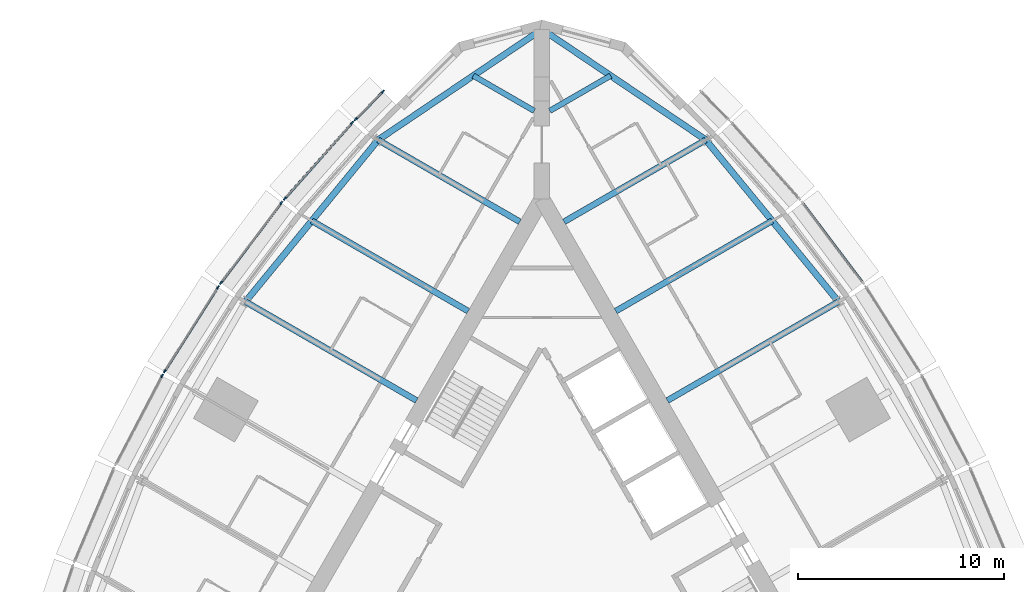
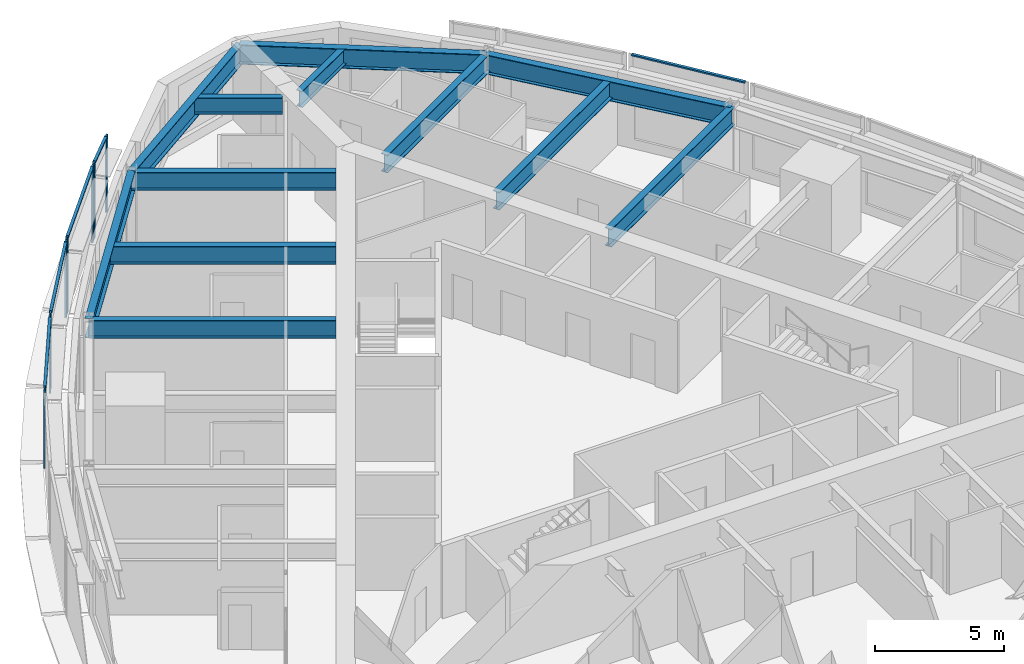
# One storey, part 5 of 15: 14 members, 12 beams, 6 elements without a shape of their own.
"""IFC4 building model written with IfcOpenShell, lengths in metres."""

import ifcopenshell
import ifcopenshell.guid

model = None  # the IFC model being written
_history = None  # IfcOwnerHistory: only IFC2X3 demands one
_inside = {}  # id of a spatial element -> (the spatial element, [elements in it])
_under = {}  # id of a project, library or spatial element -> (it, [spatial elements below it])
_declared = {}  # id of a project -> (the project, [libraries it declares])
_typed = {}  # id of a type object -> (the type object, [elements of that type])
_made_of = {}  # id of a material, layer set ... -> (it, [elements and type objects made of it])


def new_model(schema):
    """Start an empty IFC model of exactly this schema.

    Asked for "IFC4X3", IfcOpenShell would pick the latest addendum, in which some entities
    have other attributes; the version numbers below select the first issue.
    IFC2X3 requires an IfcOwnerHistory on every rooted entity: one is made here for all.
    """
    global model, _history
    if schema == "IFC4X3":
        model = ifcopenshell.file(schema_version=(4, 3, 0, 0))
    else:
        model = ifcopenshell.file(schema=schema)
    _inside.clear()
    _under.clear()
    _declared.clear()
    _typed.clear()
    _made_of.clear()
    _history = None
    if model.schema == "IFC2X3":
        org = make("IfcOrganization", Name="unknown")
        user = make(
            "IfcPersonAndOrganization",
            ThePerson=make("IfcPerson", FamilyName="unknown"),
            TheOrganization=org,
        )
        app = make(
            "IfcApplication",
            ApplicationDeveloper=org,
            Version="unknown",
            ApplicationFullName="unknown",
            ApplicationIdentifier="unknown",
        )
        _history = make(
            "IfcOwnerHistory",
            OwningUser=user,
            OwningApplication=app,
            ChangeAction="ADDED",
            CreationDate=0,
        )
    return model


def make(cls, **values):
    """One entity of the class cls with the attributes given. An attribute that is None is left unset."""
    return model.create_entity(
        cls, **{name: value for name, value in values.items() if value is not None}
    )


def rooted(cls, **values):
    """An entity with a GlobalId (a new one), such as an element, a storey or a relation."""
    return make(cls, GlobalId=ifcopenshell.guid.new(), OwnerHistory=_history, **values)


def si_unit(unit_type, name, prefix=None):
    """IfcSIUnit, for example si_unit("LENGTHUNIT", "METRE", prefix="MILLI")."""
    return make("IfcSIUnit", UnitType=unit_type, Prefix=prefix, Name=name)


def assignment(units):
    """IfcUnitAssignment: the units of a project."""
    return None if units is None else make("IfcUnitAssignment", Units=units)


def point(xyz):
    """IfcCartesianPoint."""
    return None if xyz is None else make("IfcCartesianPoint", Coordinates=xyz)


def direction(xyz):
    """IfcDirection."""
    return None if xyz is None else make("IfcDirection", DirectionRatios=xyz)


def frame(location, z_axis=None, x_axis=None):
    """IfcAxis2Placement3D, a coordinate frame: its origin and axes. An axis left out is left unset."""
    return make(
        "IfcAxis2Placement3D",
        Location=point(location),
        Axis=direction(z_axis),
        RefDirection=direction(x_axis),
    )


def frame_2d(location, x_axis=None):
    """IfcAxis2Placement2D, a coordinate frame in the plane: its origin and x axis."""
    return make(
        "IfcAxis2Placement2D", Location=point(location), RefDirection=direction(x_axis)
    )


def origin():
    """The frame at (0, 0, 0) with its axes left unset."""
    return frame((0.0, 0.0, 0.0))


def origin_2d():
    """The frame at (0, 0) in the plane with its x axis left unset."""
    return frame_2d((0.0, 0.0))


def place(relative_to, where):
    """IfcLocalPlacement: puts the frame where relative to a parent placement (None: the world)."""
    return make(
        "IfcLocalPlacement", PlacementRelTo=relative_to, RelativePlacement=where
    )


def context(
    kind, dimensions, precision=None, world=None, true_north=None, identifier=None
):
    """IfcGeometricRepresentationContext, for example the 3D "Model" context."""
    return make(
        "IfcGeometricRepresentationContext",
        ContextIdentifier=identifier,
        ContextType=kind,
        CoordinateSpaceDimension=dimensions,
        Precision=precision,
        WorldCoordinateSystem=world,
        TrueNorth=true_north,
    )


def subcontext(parent, identifier, kind, view, scale=None):
    """IfcGeometricRepresentationSubContext, for example "Body" below "Model"."""
    return make(
        "IfcGeometricRepresentationSubContext",
        ContextIdentifier=identifier,
        ContextType=kind,
        ParentContext=parent,
        TargetScale=scale,
        TargetView=view,
    )


def project(units=None, contexts=None):
    """IfcProject with its units and contexts."""
    return rooted(
        "IfcProject",
        Name="project",
        RepresentationContexts=contexts,
        UnitsInContext=assignment(units),
    )


def spatial(cls, under=None, at=None, **own):
    """A site, building, storey or space (cls), placed at a placement, below another one or the project."""
    s = rooted(cls, ObjectPlacement=at, **own)
    if under is not None:
        _under.setdefault(under.id(), (under, []))[1].append(s)
    return s


def profile(cls, at=None, kind="AREA", **sizes):
    """A parametric profile (cls). Its sizes go by their IFC names, for example OverallWidth=200.0."""
    return make(cls, ProfileType=kind, Position=at, **sizes)


def rectangle(**sizes):
    """IfcRectangleProfileDef."""
    return profile("IfcRectangleProfileDef", **sizes)


def i_section(**sizes):
    """IfcIShapeProfileDef."""
    return profile("IfcIShapeProfileDef", **sizes)


def extrude(swept, where, along, depth):
    """IfcExtrudedAreaSolid: the profile swept, set in the frame where, extruded along a direction by depth."""
    return make(
        "IfcExtrudedAreaSolid",
        SweptArea=swept,
        Position=where,
        ExtrudedDirection=direction(along),
        Depth=depth,
    )


def shape(context_of_items, identifier, shape_type, items):
    """IfcShapeRepresentation: the items that make up one representation, for example the "Body"."""
    return make(
        "IfcShapeRepresentation",
        ContextOfItems=context_of_items,
        RepresentationIdentifier=identifier,
        RepresentationType=shape_type,
        Items=items,
    )


def material(Name=None, Category=None):
    """IfcMaterial."""
    return make("IfcMaterial", Name=Name, Category=Category)


def material_profile(
    of_material, cross_section, Name=None, Category=None, Priority=None
):
    """IfcMaterialProfile: a cross section and its material."""
    return make(
        "IfcMaterialProfile",
        Name=Name,
        Material=of_material,
        Profile=cross_section,
        Priority=Priority,
        Category=Category,
    )


def profile_set(profiles, Name=None, composite=None):
    """IfcMaterialProfileSet."""
    return make(
        "IfcMaterialProfileSet",
        Name=Name,
        MaterialProfiles=profiles,
        CompositeProfile=composite,
    )


def made_of(thing, what):
    """Note that an element or type object is made of a material, layer set ...; save() writes the relation."""
    if what is not None:
        _made_of.setdefault(what.id(), (what, []))[1].append(thing)
    return thing


def type_object(cls, material=None, **own):
    """A type object (cls), such as IfcWallType, which elements share."""
    return made_of(rooted(cls, **own), material)


def element(
    cls,
    number,
    at=None,
    inside=None,
    cuts=None,
    type_object=None,
    material=None,
    context=None,
    identifier="Body",
    shape_type=None,
    held_by="IfcProductDefinitionShape",
    body=None,
    shapes=None,
    **own,
):
    """One element of the class cls, such as IfcWall. Its Tag is "e" and its number.

    at: its placement. inside: the storey or other place that contains it. cuts: it is an
    opening in that element (IfcRelVoidsElement). A single representation is given by context,
    identifier, shape_type and body (its items); several are given by shapes. held_by: the class
    of the entity that holds the representations. save() writes the other relations.
    """
    e = rooted(cls, Tag="e%d" % number, ObjectPlacement=at, **own)
    if body is not None:
        shapes = [shape(context, identifier, shape_type, body)]
    if shapes is not None:
        e.Representation = make(held_by, Representations=shapes)
    if inside is not None:
        _inside.setdefault(inside.id(), (inside, []))[1].append(e)
    if cuts is not None:
        rooted(
            "IfcRelVoidsElement", RelatingBuildingElement=cuts, RelatedOpeningElement=e
        )
    if type_object is not None:
        _typed.setdefault(type_object.id(), (type_object, []))[1].append(e)
    return made_of(e, material)


def aggregate(whole, parts):
    """IfcRelAggregates: a whole, such as a stair, and the parts it consists of."""
    return rooted("IfcRelAggregates", RelatingObject=whole, RelatedObjects=parts)


def save(model, path):
    """Write the relations noted so far, then the file.

    IfcRelAggregates (storeys below a building ...), IfcRelContainedInSpatialStructure (elements
    in a storey), IfcRelDefinesByType, IfcRelAssociatesMaterial and IfcRelDeclares: one each for
    every whole, place, type object, material and project.
    """
    for whole, parts in _under.values():
        aggregate(whole, parts)
    for where, things in _inside.values():
        rooted(
            "IfcRelContainedInSpatialStructure",
            RelatedElements=things,
            RelatingStructure=where,
        )
    for kind, things in _typed.values():
        rooted("IfcRelDefinesByType", RelatedObjects=things, RelatingType=kind)
    for what, things in _made_of.values():
        rooted("IfcRelAssociatesMaterial", RelatedObjects=things, RelatingMaterial=what)
    for by, libraries in _declared.values():
        rooted("IfcRelDeclares", RelatingContext=by, RelatedDefinitions=libraries)
    model.write(path)


model = new_model("IFC4")

# Units and contexts
model_context = context("Model", 3, precision=1e-05, world=origin(), true_north=direction((0.0, 1.0)))
body_context = subcontext(model_context, "Body", "Model", "MODEL_VIEW")
ifc_project = project(units=[si_unit("LENGTHUNIT", "METRE"), si_unit("AREAUNIT", "SQUARE_METRE"), si_unit("VOLUMEUNIT", "CUBIC_METRE"), si_unit("PLANEANGLEUNIT", "RADIAN"), si_unit("MASSUNIT", "GRAM", prefix="KILO")], contexts=[model_context])

# Site, building, storey
site_placement = place(None, origin())
site = spatial("IfcSite", under=ifc_project, at=site_placement, CompositionType="ELEMENT")
building_placement = place(site_placement, origin())
building = spatial("IfcBuilding", under=site, at=building_placement, Name="Trikona Tower", CompositionType="ELEMENT")
storey_placement = place(building_placement, frame((0.0, 0.0, 218.89990234375)))
storey = spatial("IfcBuildingStorey", under=building, at=storey_placement, Name="L58", CompositionType="ELEMENT", Elevation=218.89990234375)

# Curtain wall, members
ifc_material_1 = material(Name="Aluminium curtain wall system", Category="aluminium")
curtain_wall_type = type_object("IfcCurtainWallType", Name="Curtain wall DS3", PredefinedType="NOTDEFINED", material=ifc_material_1)
curtain_wall_1_placement = place(storey_placement, origin())
curtain_wall_1 = element("IfcCurtainWall", 1, at=curtain_wall_1_placement, inside=storey, type_object=curtain_wall_type, Name="Curtain wall DS3 L58", PredefinedType="NOTDEFINED")
ifc_material_2 = material(Name="Aluminium mullion, pale anodised", Category="aluminium")
ifc_material_profile_1 = material_profile(ifc_material_2, rectangle(XDim=0.070068359375, YDim=0.179931640625, at=origin_2d()), Name="MUL-DS3")
ifc_profile_set_1 = profile_set([ifc_material_profile_1], Name="Aluminium mullion, pale anodised")
member_type_1 = type_object("IfcMemberType", Name="Mullion DS3 70x180", PredefinedType="MULLION", material=ifc_profile_set_1)
member_1_placement = place(storey_placement, frame((-7.7060546875, 24.237548828125, 0.0), z_axis=(0.0, 0.0, 1.0), x_axis=(0.710051900554, -0.704149343903, 0.0)))
member_1 = element("IfcMember", 2, at=member_1_placement, type_object=member_type_1, Name="CW-DS3 mullion 1", PredefinedType="MULLION", context=body_context, shape_type="SweptSolid", body=[
    extrude(rectangle(XDim=0.070068359375, YDim=0.179931640625, at=origin_2d()), origin(), (0.0, 0.0, 1.0), 3.60009765625),
])
member_2_placement = place(storey_placement, frame((-9.028564453125, 22.904052734375, 0.0), z_axis=(0.0, 0.0, 1.0), x_axis=(0.710051900554, -0.704149343903, 0.0)))
member_2 = element("IfcMember", 3, at=member_2_placement, type_object=member_type_1, Name="CW-DS3 mullion 2", PredefinedType="MULLION", context=body_context, shape_type="SweptSolid", body=[
    extrude(rectangle(XDim=0.070068359375, YDim=0.179931640625, at=origin_2d()), origin(), (0.0, 0.0, 1.0), 3.60009765625),
])

curtain_wall_2_placement = place(storey_placement, origin())
curtain_wall_2 = element("IfcCurtainWall", 4, at=curtain_wall_2_placement, inside=storey, type_object=curtain_wall_type, Name="Curtain wall DS3 L58", PredefinedType="NOTDEFINED")
member_3_placement = place(storey_placement, frame((-9.192138671875, 22.729736328125, 0.0), z_axis=(0.0, 0.0, 1.0), x_axis=(0.747402677853, -0.664371309689, 0.0)))
member_3 = element("IfcMember", 5, at=member_3_placement, type_object=member_type_1, Name="CW-DS3 mullion 1", PredefinedType="MULLION", context=body_context, shape_type="SweptSolid", body=[
    extrude(rectangle(XDim=0.070068359375, YDim=0.179931640625, at=origin_2d()), origin(), (0.0, 0.0, 1.0), 3.60009765625),
])
member_4_placement = place(storey_placement, frame((-12.45751953125, 19.056396484375, 0.0), z_axis=(0.0, 0.0, 1.0), x_axis=(0.747402677853, -0.664371309689, 0.0)))
member_4 = element("IfcMember", 6, at=member_4_placement, type_object=member_type_1, Name="CW-DS3 mullion 2", PredefinedType="MULLION", context=body_context, shape_type="SweptSolid", body=[
    extrude(rectangle(XDim=0.070068359375, YDim=0.179931640625, at=origin_2d()), origin(), (0.0, 0.0, 1.0), 3.60009765625),
])

curtain_wall_3_placement = place(storey_placement, origin())
curtain_wall_3 = element("IfcCurtainWall", 7, at=curtain_wall_3_placement, inside=storey, type_object=curtain_wall_type, Name="Curtain wall DS3 L58", PredefinedType="NOTDEFINED")
member_5_placement = place(storey_placement, frame((-12.62353515625, 18.853759765625, 0.0), z_axis=(0.0, 0.0, 1.0), x_axis=(0.798193208724, -0.602401528506, 0.0)))
member_5 = element("IfcMember", 8, at=member_5_placement, type_object=member_type_1, Name="CW-DS3 mullion 1", PredefinedType="MULLION", context=body_context, shape_type="SweptSolid", body=[
    extrude(rectangle(XDim=0.070068359375, YDim=0.179931640625, at=origin_2d()), origin(), (0.0, 0.0, 1.0), 3.60009765625),
])
member_6_placement = place(storey_placement, frame((-15.5439453125, 14.984130859375, 0.0), z_axis=(0.0, 0.0, 1.0), x_axis=(0.798193208724, -0.602401528506, 0.0)))
member_6 = element("IfcMember", 9, at=member_6_placement, type_object=member_type_1, Name="CW-DS3 mullion 2", PredefinedType="MULLION", context=body_context, shape_type="SweptSolid", body=[
    extrude(rectangle(XDim=0.070068359375, YDim=0.179931640625, at=origin_2d()), origin(), (0.0, 0.0, 1.0), 3.60009765625),
])

curtain_wall_4_placement = place(storey_placement, origin())
curtain_wall_4 = element("IfcCurtainWall", 10, at=curtain_wall_4_placement, inside=storey, type_object=curtain_wall_type, Name="Curtain wall DS3 L58", PredefinedType="NOTDEFINED")
member_7_placement = place(storey_placement, frame((-15.69384765625, 14.767578125, 0.0), z_axis=(0.0, 0.0, 1.0), x_axis=(0.844727131858, -0.535197227854, 0.0)))
member_7 = element("IfcMember", 11, at=member_7_placement, type_object=member_type_1, Name="CW-DS3 mullion 1", PredefinedType="MULLION", context=body_context, shape_type="SweptSolid", body=[
    extrude(rectangle(XDim=0.070068359375, YDim=0.179931640625, at=origin_2d()), origin(), (0.0, 0.0, 1.0), 3.60009765625),
])
member_8_placement = place(storey_placement, frame((-18.2705078125, 10.700927734375, 0.0), z_axis=(0.0, 0.0, 1.0), x_axis=(0.844727131858, -0.535197227854, 0.0)))
member_8 = element("IfcMember", 12, at=member_8_placement, type_object=member_type_1, Name="CW-DS3 mullion 2", PredefinedType="MULLION", context=body_context, shape_type="SweptSolid", body=[
    extrude(rectangle(XDim=0.070068359375, YDim=0.179931640625, at=origin_2d()), origin(), (0.0, 0.0, 1.0), 3.60009765625),
])

# Curtain wall, member
curtain_wall_5_placement = place(storey_placement, origin())
curtain_wall_5 = element("IfcCurtainWall", 13, at=curtain_wall_5_placement, inside=storey, type_object=curtain_wall_type, Name="Curtain wall DS3 L58", PredefinedType="NOTDEFINED")
member_9_placement = place(storey_placement, frame((-18.40234375, 10.472412109375, 0.0), z_axis=(0.0, 0.0, 1.0), x_axis=(0.885862390527, -0.463948084434, 0.0)))
member_9 = element("IfcMember", 14, at=member_9_placement, type_object=member_type_1, Name="CW-DS3 mullion 1", PredefinedType="MULLION", context=body_context, shape_type="SweptSolid", body=[
    extrude(rectangle(XDim=0.070068359375, YDim=0.179931640625, at=origin_2d()), origin(), (0.0, 0.0, 1.0), 3.60009765625),
])
aggregate(curtain_wall_5, [member_9])

# Beams
ifc_material_3 = material(Name="Steel ASTM A992 Grade 50", Category="steel")
ifc_material_profile_2 = material_profile(ifc_material_3, i_section(OverallWidth=0.2666015625, OverallDepth=0.76953125, WebThickness=0.015625, FlangeThickness=0.025390625, at=origin_2d()), Name="W30X132")
ifc_profile_set_2 = profile_set([ifc_material_profile_2], Name="Steel ASTM A992 Grade 50")
beam_type_1 = type_object("IfcBeamType", Name="Steel beam W30x132 (wedge)", PredefinedType="BEAM", material=ifc_profile_set_2)
for number, where, z_axis, x_axis, name in (
    (15, (0.375, 23.310546875, 3.05029296875), (0.866027000698, 0.499997234054, 0.0), (-0.499997234054, 0.866027000698, 0.0), "Floor beam L59 F2 u20"),
    (16, (-0.375, 23.310546875, 3.05029296875), (-0.866027000698, 0.499997234054, 0.0), (-0.499997234054, -0.866027000698, 0.0), "Floor beam L59 F3 u-20"),
):
    element("IfcBeam", number, at=place(storey_placement, frame(where, z_axis=z_axis, x_axis=x_axis)), inside=storey, type_object=beam_type_1, Name=name, PredefinedType="BEAM", context=body_context, shape_type="SweptSolid", body=[
        extrude(i_section(OverallWidth=0.2666015625, OverallDepth=0.76953125, WebThickness=0.015625, FlangeThickness=0.025390625, at=origin_2d()), origin(), (0.0, 0.0, 1.0), 3.40966796875),
    ])
ifc_material_4 = material(Name="Steel ASTM A992 Grade 50", Category="steel")
ifc_material_profile_3 = material_profile(ifc_material_4, i_section(OverallWidth=0.2919921875, OverallDepth=0.845703125, WebThickness=0.015380859375, FlangeThickness=0.0244140625, at=origin_2d()), Name="W33X141")
ifc_profile_set_3 = profile_set([ifc_material_profile_3], Name="Steel ASTM A992 Grade 50")
beam_type_2 = type_object("IfcBeamType", Name="Steel beam W33x141 (radial typ)", PredefinedType="BEAM", material=ifc_profile_set_3)
beam_1_placement = place(storey_placement, frame((6.07470703125, 9.28076171875, 3.01220703125), z_axis=(0.866025863714, 0.499999203377, 0.0), x_axis=(-0.499999203377, 0.866025863714, 0.0)))
element("IfcBeam", 17, at=beam_1_placement, inside=storey, type_object=beam_type_2, Name="Floor beam L59 F2 u5", PredefinedType="BEAM", context=body_context, shape_type="SweptSolid", body=[
    extrude(i_section(OverallWidth=0.2919921875, OverallDepth=0.845703125, WebThickness=0.015380859375, FlangeThickness=0.0244140625, at=origin_2d()), origin(), (0.0, 0.0, 1.0), 9.57080078125),
])
beam_2_placement = place(storey_placement, frame((3.57470703125, 13.61083984375, 3.01220703125), z_axis=(0.866013609749, 0.500020427312, 0.0), x_axis=(-0.500020427312, 0.866013609749, 0.0)))
element("IfcBeam", 18, at=beam_2_placement, inside=storey, type_object=beam_type_2, Name="Floor beam L59 F2 u10", PredefinedType="BEAM", context=body_context, shape_type="SweptSolid", body=[
    extrude(i_section(OverallWidth=0.2919921875, OverallDepth=0.845703125, WebThickness=0.015380859375, FlangeThickness=0.0244140625, at=origin_2d()), origin(), (0.0, 0.0, 1.0), 8.747314453125),
])
for number, where, z_axis, x_axis, name in (
    (19, (1.07470703125, 17.94091796875, 3.01220703125), (0.866019853763, 0.500009612796, 0.0), (-0.500009612796, 0.866019853763, 0.0), "Floor beam L59 F2 u15"),
    (20, (-1.07470703125, 17.94091796875, 3.01220703125), (-0.866019853763, 0.500009612796, 0.0), (-0.500009612796, -0.866019853763, 0.0), "Floor beam L59 F3 u-15"),
):
    element("IfcBeam", number, at=place(storey_placement, frame(where, z_axis=z_axis, x_axis=x_axis)), inside=storey, type_object=beam_type_2, Name=name, PredefinedType="BEAM", context=body_context, shape_type="SweptSolid", body=[
        extrude(i_section(OverallWidth=0.2919921875, OverallDepth=0.845703125, WebThickness=0.015380859375, FlangeThickness=0.0244140625, at=origin_2d()), origin(), (0.0, 0.0, 1.0), 7.923583984375),
    ])
beam_3_placement = place(storey_placement, frame((-3.57470703125, 13.61083984375, 3.01220703125), z_axis=(-0.866013609749, 0.500020427312, 0.0), x_axis=(-0.500020427312, -0.866013609749, 0.0)))
element("IfcBeam", 21, at=beam_3_placement, inside=storey, type_object=beam_type_2, Name="Floor beam L59 F3 u-10", PredefinedType="BEAM", context=body_context, shape_type="SweptSolid", body=[
    extrude(i_section(OverallWidth=0.2919921875, OverallDepth=0.845703125, WebThickness=0.015380859375, FlangeThickness=0.0244140625, at=origin_2d()), origin(), (0.0, 0.0, 1.0), 8.747314453125),
])
beam_4_placement = place(storey_placement, frame((-6.07470703125, 9.28076171875, 3.01220703125), z_axis=(-0.866025863714, 0.499999203377, 0.0), x_axis=(-0.499999203377, -0.866025863714, 0.0)))
element("IfcBeam", 22, at=beam_4_placement, inside=storey, type_object=beam_type_2, Name="Floor beam L59 F3 u-5", PredefinedType="BEAM", context=body_context, shape_type="SweptSolid", body=[
    extrude(i_section(OverallWidth=0.2919921875, OverallDepth=0.845703125, WebThickness=0.015380859375, FlangeThickness=0.0244140625, at=origin_2d()), origin(), (0.0, 0.0, 1.0), 9.57080078125),
])
ifc_material_5 = material(Name="Steel ASTM A992 Grade 50", Category="steel")
ifc_material_profile_4 = material_profile(ifc_material_5, i_section(OverallWidth=0.307373046875, OverallDepth=0.922119140625, WebThickness=0.018310546875, FlangeThickness=0.030029296875, at=origin_2d()), Name="W36X182")
ifc_profile_set_4 = profile_set([ifc_material_profile_4], Name="Steel ASTM A992 Grade 50")
beam_type_3 = type_object("IfcBeamType", Name="Steel beam W36x182 (spandrel mid)", PredefinedType="SPANDREL", material=ifc_profile_set_4)
beam_5_placement = place(storey_placement, frame((14.36328125, 14.066162109375, 2.97412109375), z_axis=(-0.634105803308, 0.77324629337, 0.0), x_axis=(-0.77324629337, -0.634105803308, 0.0)))
element("IfcBeam", 23, at=beam_5_placement, inside=storey, type_object=beam_type_3, Name="Spandrel beam L59 F2-4", PredefinedType="SPANDREL", context=body_context, shape_type="SweptSolid", body=[
    extrude(i_section(OverallWidth=0.307373046875, OverallDepth=0.922119140625, WebThickness=0.018310546875, FlangeThickness=0.030029296875, at=origin_2d()), origin(), (0.0, 0.0, 1.0), 10.134765625),
])
for number, where, z_axis, x_axis, name in (
    (24, (7.936767578125, 21.90283203125, 2.97412109375), (-0.828725418029, 0.55965541319, 0.0), (-0.55965541319, -0.828725418029, 0.0), "Spandrel beam L59 F2-5"),
    (25, (0.0, 27.2626953125, 2.97412109375), (-0.828725418029, -0.55965541319, 0.0), (0.55965541319, -0.828725418029, 0.0), "Spandrel beam L59 F3-1"),
):
    element("IfcBeam", number, at=place(storey_placement, frame(where, z_axis=z_axis, x_axis=x_axis)), inside=storey, type_object=beam_type_3, Name=name, PredefinedType="SPANDREL", context=body_context, shape_type="SweptSolid", body=[
        extrude(i_section(OverallWidth=0.307373046875, OverallDepth=0.922119140625, WebThickness=0.018310546875, FlangeThickness=0.030029296875, at=origin_2d()), origin(), (0.0, 0.0, 1.0), 9.5771484375),
    ])
beam_6_placement = place(storey_placement, frame((-7.936767578125, 21.90283203125, 2.97412109375), z_axis=(-0.634105803308, -0.77324629337, 0.0), x_axis=(0.77324629337, -0.634105803308, 0.0)))
element("IfcBeam", 26, at=beam_6_placement, inside=storey, type_object=beam_type_3, Name="Spandrel beam L59 F3-2", PredefinedType="SPANDREL", context=body_context, shape_type="SweptSolid", body=[
    extrude(i_section(OverallWidth=0.307373046875, OverallDepth=0.922119140625, WebThickness=0.018310546875, FlangeThickness=0.030029296875, at=origin_2d()), origin(), (0.0, 0.0, 1.0), 10.134765625),
])

# Curtain wall, member
curtain_wall_6_placement = place(storey_placement, origin())
curtain_wall_6 = element("IfcCurtainWall", 27, at=curtain_wall_6_placement, inside=storey, type_object=curtain_wall_type, Name="Curtain wall DS3 L58", PredefinedType="NOTDEFINED")
ifc_material_6 = material(Name="Aluminium transom, pale anodised", Category="aluminium")
ifc_material_profile_5 = material_profile(ifc_material_6, rectangle(XDim=0.1201171875, YDim=0.070068359375, at=origin_2d()), Name="TRN-DS3")
ifc_profile_set_5 = profile_set([ifc_material_profile_5], Name="Aluminium transom, pale anodised")
member_type_2 = type_object("IfcMemberType", Name="Transom DS3 70x120", PredefinedType="USERDEFINED", material=ifc_profile_set_5)
member_10_placement = place(storey_placement, frame((15.52294921875, 15.011962890625, 3.565185546875), z_axis=(-0.602400763927, 0.798193785756, 0.0), x_axis=(-0.798193785756, -0.602400763927, 0.0)))
member_10 = element("IfcMember", 28, at=member_10_placement, type_object=member_type_2, Name="CW-DS3 transom 1.1", ObjectType="TRANSOM", PredefinedType="USERDEFINED", context=body_context, shape_type="SweptSolid", body=[
    extrude(rectangle(XDim=0.1201171875, YDim=0.070068359375, at=origin_2d()), origin(), (0.0, 0.0, 1.0), 4.7783203125),
])
aggregate(curtain_wall_6, [member_10])

# Member
member_11_placement = place(storey_placement, frame((-7.73046875, 24.212890625, 3.565185546875), z_axis=(-0.704130668076, -0.710070420645, 0.0), x_axis=(0.710070420645, -0.704130668076, 0.0)))
member_11 = element("IfcMember", 29, at=member_11_placement, type_object=member_type_2, Name="CW-DS3 transom 1.1", ObjectType="TRANSOM", PredefinedType="USERDEFINED", context=body_context, shape_type="SweptSolid", body=[
    extrude(rectangle(XDim=0.1201171875, YDim=0.070068359375, at=origin_2d()), origin(), (0.0, 0.0, 1.0), 1.80859375),
])

aggregate(curtain_wall_1, [member_1, member_2, member_11])

member_12_placement = place(storey_placement, frame((-9.21533203125, 22.70361328125, 3.565185546875), z_axis=(-0.66436383883, -0.747409318684, 0.0), x_axis=(0.747409318684, -0.66436383883, 0.0)))
member_12 = element("IfcMember", 30, at=member_12_placement, type_object=member_type_2, Name="CW-DS3 transom 1.1", ObjectType="TRANSOM", PredefinedType="USERDEFINED", context=body_context, shape_type="SweptSolid", body=[
    extrude(rectangle(XDim=0.1201171875, YDim=0.070068359375, at=origin_2d()), origin(), (0.0, 0.0, 1.0), 4.844970703125),
])

aggregate(curtain_wall_2, [member_3, member_4, member_12])

member_13_placement = place(storey_placement, frame((-12.64453125, 18.825927734375, 3.565185546875), z_axis=(-0.602400763927, -0.798193785756, 0.0), x_axis=(0.798193785756, -0.602400763927, 0.0)))
member_13 = element("IfcMember", 31, at=member_13_placement, type_object=member_type_2, Name="CW-DS3 transom 1.1", ObjectType="TRANSOM", PredefinedType="USERDEFINED", context=body_context, shape_type="SweptSolid", body=[
    extrude(rectangle(XDim=0.1201171875, YDim=0.070068359375, at=origin_2d()), origin(), (0.0, 0.0, 1.0), 4.7783203125),
])

aggregate(curtain_wall_3, [member_5, member_6, member_13])

member_14_placement = place(storey_placement, frame((-15.712646484375, 14.738037109375, 3.565185546875), z_axis=(-0.535192866729, -0.844729894938, 0.0), x_axis=(0.844729894938, -0.535192866729, 0.0)))
member_14 = element("IfcMember", 32, at=member_14_placement, type_object=member_type_2, Name="CW-DS3 transom 1.1", ObjectType="TRANSOM", PredefinedType="USERDEFINED", context=body_context, shape_type="SweptSolid", body=[
    extrude(rectangle(XDim=0.1201171875, YDim=0.070068359375, at=origin_2d()), origin(), (0.0, 0.0, 1.0), 4.744140625),
])

aggregate(curtain_wall_4, [member_7, member_8, member_14])

save(model, "model.ifc")
